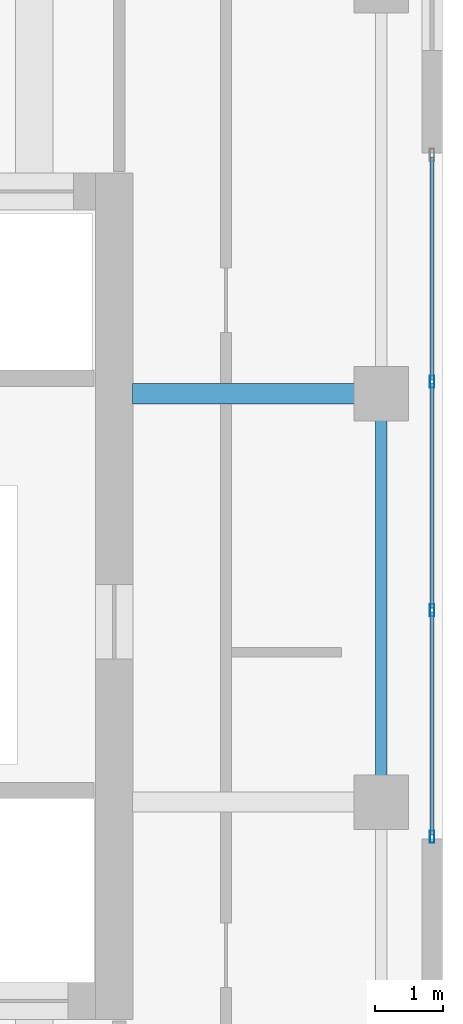
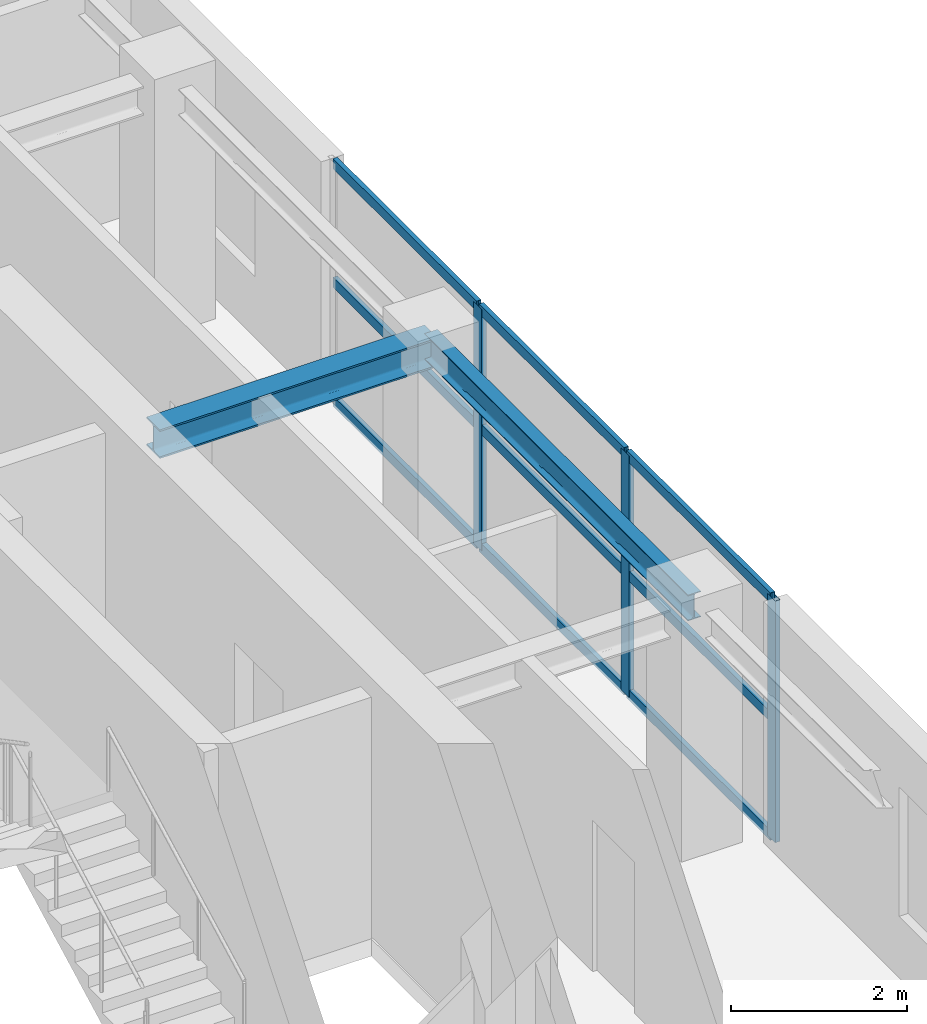
# One storey, part 11 of 22: 12 members, 2 beams, 1 element without a shape of its own.
"""IFC4 building model written with IfcOpenShell, lengths in metres."""

import ifcopenshell
import ifcopenshell.guid

model = None  # the IFC model being written
_history = None  # IfcOwnerHistory: only IFC2X3 demands one
_inside = {}  # id of a spatial element -> (the spatial element, [elements in it])
_under = {}  # id of a project, library or spatial element -> (it, [spatial elements below it])
_declared = {}  # id of a project -> (the project, [libraries it declares])
_typed = {}  # id of a type object -> (the type object, [elements of that type])
_made_of = {}  # id of a material, layer set ... -> (it, [elements and type objects made of it])


def new_model(schema):
    """Start an empty IFC model of exactly this schema.

    Asked for "IFC4X3", IfcOpenShell would pick the latest addendum, in which some entities
    have other attributes; the version numbers below select the first issue.
    IFC2X3 requires an IfcOwnerHistory on every rooted entity: one is made here for all.
    """
    global model, _history
    if schema == "IFC4X3":
        model = ifcopenshell.file(schema_version=(4, 3, 0, 0))
    else:
        model = ifcopenshell.file(schema=schema)
    _inside.clear()
    _under.clear()
    _declared.clear()
    _typed.clear()
    _made_of.clear()
    _history = None
    if model.schema == "IFC2X3":
        org = make("IfcOrganization", Name="unknown")
        user = make(
            "IfcPersonAndOrganization",
            ThePerson=make("IfcPerson", FamilyName="unknown"),
            TheOrganization=org,
        )
        app = make(
            "IfcApplication",
            ApplicationDeveloper=org,
            Version="unknown",
            ApplicationFullName="unknown",
            ApplicationIdentifier="unknown",
        )
        _history = make(
            "IfcOwnerHistory",
            OwningUser=user,
            OwningApplication=app,
            ChangeAction="ADDED",
            CreationDate=0,
        )
    return model


def make(cls, **values):
    """One entity of the class cls with the attributes given. An attribute that is None is left unset."""
    return model.create_entity(
        cls, **{name: value for name, value in values.items() if value is not None}
    )


def rooted(cls, **values):
    """An entity with a GlobalId (a new one), such as an element, a storey or a relation."""
    return make(cls, GlobalId=ifcopenshell.guid.new(), OwnerHistory=_history, **values)


def si_unit(unit_type, name, prefix=None):
    """IfcSIUnit, for example si_unit("LENGTHUNIT", "METRE", prefix="MILLI")."""
    return make("IfcSIUnit", UnitType=unit_type, Prefix=prefix, Name=name)


def assignment(units):
    """IfcUnitAssignment: the units of a project."""
    return None if units is None else make("IfcUnitAssignment", Units=units)


def point(xyz):
    """IfcCartesianPoint."""
    return None if xyz is None else make("IfcCartesianPoint", Coordinates=xyz)


def direction(xyz):
    """IfcDirection."""
    return None if xyz is None else make("IfcDirection", DirectionRatios=xyz)


def frame(location, z_axis=None, x_axis=None):
    """IfcAxis2Placement3D, a coordinate frame: its origin and axes. An axis left out is left unset."""
    return make(
        "IfcAxis2Placement3D",
        Location=point(location),
        Axis=direction(z_axis),
        RefDirection=direction(x_axis),
    )


def frame_2d(location, x_axis=None):
    """IfcAxis2Placement2D, a coordinate frame in the plane: its origin and x axis."""
    return make(
        "IfcAxis2Placement2D", Location=point(location), RefDirection=direction(x_axis)
    )


def origin():
    """The frame at (0, 0, 0) with its axes left unset."""
    return frame((0.0, 0.0, 0.0))


def origin_2d():
    """The frame at (0, 0) in the plane with its x axis left unset."""
    return frame_2d((0.0, 0.0))


def place(relative_to, where):
    """IfcLocalPlacement: puts the frame where relative to a parent placement (None: the world)."""
    return make(
        "IfcLocalPlacement", PlacementRelTo=relative_to, RelativePlacement=where
    )


def context(
    kind, dimensions, precision=None, world=None, true_north=None, identifier=None
):
    """IfcGeometricRepresentationContext, for example the 3D "Model" context."""
    return make(
        "IfcGeometricRepresentationContext",
        ContextIdentifier=identifier,
        ContextType=kind,
        CoordinateSpaceDimension=dimensions,
        Precision=precision,
        WorldCoordinateSystem=world,
        TrueNorth=true_north,
    )


def subcontext(parent, identifier, kind, view, scale=None):
    """IfcGeometricRepresentationSubContext, for example "Body" below "Model"."""
    return make(
        "IfcGeometricRepresentationSubContext",
        ContextIdentifier=identifier,
        ContextType=kind,
        ParentContext=parent,
        TargetScale=scale,
        TargetView=view,
    )


def project(units=None, contexts=None):
    """IfcProject with its units and contexts."""
    return rooted(
        "IfcProject",
        Name="project",
        RepresentationContexts=contexts,
        UnitsInContext=assignment(units),
    )


def spatial(cls, under=None, at=None, **own):
    """A site, building, storey or space (cls), placed at a placement, below another one or the project."""
    s = rooted(cls, ObjectPlacement=at, **own)
    if under is not None:
        _under.setdefault(under.id(), (under, []))[1].append(s)
    return s


def profile(cls, at=None, kind="AREA", **sizes):
    """A parametric profile (cls). Its sizes go by their IFC names, for example OverallWidth=200.0."""
    return make(cls, ProfileType=kind, Position=at, **sizes)


def hollow_rectangle(**sizes):
    """IfcRectangleHollowProfileDef."""
    return profile("IfcRectangleHollowProfileDef", **sizes)


def i_section(**sizes):
    """IfcIShapeProfileDef."""
    return profile("IfcIShapeProfileDef", **sizes)


def extrude(swept, where, along, depth):
    """IfcExtrudedAreaSolid: the profile swept, set in the frame where, extruded along a direction by depth."""
    return make(
        "IfcExtrudedAreaSolid",
        SweptArea=swept,
        Position=where,
        ExtrudedDirection=direction(along),
        Depth=depth,
    )


def shape(context_of_items, identifier, shape_type, items):
    """IfcShapeRepresentation: the items that make up one representation, for example the "Body"."""
    return make(
        "IfcShapeRepresentation",
        ContextOfItems=context_of_items,
        RepresentationIdentifier=identifier,
        RepresentationType=shape_type,
        Items=items,
    )


def source(mapping_origin, context_of_items, identifier, shape_type, items):
    """IfcRepresentationMap: a shape defined once, which mapped items show again and again."""
    return make(
        "IfcRepresentationMap",
        MappingOrigin=mapping_origin,
        MappedRepresentation=shape(context_of_items, identifier, shape_type, items),
    )


def transform(
    local_origin,
    x_axis=None,
    y_axis=None,
    z_axis=None,
    scale=None,
    scale2=None,
    scale3=None,
    uniform=True,
):
    """IfcCartesianTransformationOperator3D, or its non-uniform kind. x_axis, y_axis, z_axis: its Axis1, 2, 3."""
    if uniform:
        return make(
            "IfcCartesianTransformationOperator3D",
            Axis1=direction(x_axis),
            Axis2=direction(y_axis),
            LocalOrigin=point(local_origin),
            Scale=scale,
            Axis3=direction(z_axis),
        )
    return make(
        "IfcCartesianTransformationOperator3DnonUniform",
        Axis1=direction(x_axis),
        Axis2=direction(y_axis),
        LocalOrigin=point(local_origin),
        Scale=scale,
        Axis3=direction(z_axis),
        Scale2=scale2,
        Scale3=scale3,
    )


def mapped(mapping_source, mapping_target):
    """IfcMappedItem: shows the shape of a source again, moved by a transform."""
    return make(
        "IfcMappedItem", MappingSource=mapping_source, MappingTarget=mapping_target
    )


def material(Name=None, Category=None):
    """IfcMaterial."""
    return make("IfcMaterial", Name=Name, Category=Category)


def layer(
    of_material, thickness, ventilated=None, Name=None, Category=None, Priority=None
):
    """IfcMaterialLayer: one layer of a wall or slab, of a material (None: an air gap)."""
    return make(
        "IfcMaterialLayer",
        Material=of_material,
        LayerThickness=thickness,
        IsVentilated=ventilated,
        Name=Name,
        Category=Category,
        Priority=Priority,
    )


def layer_set(layers, Name=None):
    """IfcMaterialLayerSet."""
    return make("IfcMaterialLayerSet", MaterialLayers=layers, LayerSetName=Name)


def material_profile(
    of_material, cross_section, Name=None, Category=None, Priority=None
):
    """IfcMaterialProfile: a cross section and its material."""
    return make(
        "IfcMaterialProfile",
        Name=Name,
        Material=of_material,
        Profile=cross_section,
        Priority=Priority,
        Category=Category,
    )


def profile_set(profiles, Name=None, composite=None):
    """IfcMaterialProfileSet."""
    return make(
        "IfcMaterialProfileSet",
        Name=Name,
        MaterialProfiles=profiles,
        CompositeProfile=composite,
    )


def made_of(thing, what):
    """Note that an element or type object is made of a material, layer set ...; save() writes the relation."""
    if what is not None:
        _made_of.setdefault(what.id(), (what, []))[1].append(thing)
    return thing


def type_object(cls, material=None, **own):
    """A type object (cls), such as IfcWallType, which elements share."""
    return made_of(rooted(cls, **own), material)


def element(
    cls,
    number,
    at=None,
    inside=None,
    cuts=None,
    type_object=None,
    material=None,
    context=None,
    identifier="Body",
    shape_type=None,
    held_by="IfcProductDefinitionShape",
    body=None,
    shapes=None,
    **own,
):
    """One element of the class cls, such as IfcWall. Its Tag is "e" and its number.

    at: its placement. inside: the storey or other place that contains it. cuts: it is an
    opening in that element (IfcRelVoidsElement). A single representation is given by context,
    identifier, shape_type and body (its items); several are given by shapes. held_by: the class
    of the entity that holds the representations. save() writes the other relations.
    """
    e = rooted(cls, Tag="e%d" % number, ObjectPlacement=at, **own)
    if body is not None:
        shapes = [shape(context, identifier, shape_type, body)]
    if shapes is not None:
        e.Representation = make(held_by, Representations=shapes)
    if inside is not None:
        _inside.setdefault(inside.id(), (inside, []))[1].append(e)
    if cuts is not None:
        rooted(
            "IfcRelVoidsElement", RelatingBuildingElement=cuts, RelatedOpeningElement=e
        )
    if type_object is not None:
        _typed.setdefault(type_object.id(), (type_object, []))[1].append(e)
    return made_of(e, material)


def aggregate(whole, parts):
    """IfcRelAggregates: a whole, such as a stair, and the parts it consists of."""
    return rooted("IfcRelAggregates", RelatingObject=whole, RelatedObjects=parts)


def save(model, path):
    """Write the relations noted so far, then the file.

    IfcRelAggregates (storeys below a building ...), IfcRelContainedInSpatialStructure (elements
    in a storey), IfcRelDefinesByType, IfcRelAssociatesMaterial and IfcRelDeclares: one each for
    every whole, place, type object, material and project.
    """
    for whole, parts in _under.values():
        aggregate(whole, parts)
    for where, things in _inside.values():
        rooted(
            "IfcRelContainedInSpatialStructure",
            RelatedElements=things,
            RelatingStructure=where,
        )
    for kind, things in _typed.values():
        rooted("IfcRelDefinesByType", RelatedObjects=things, RelatingType=kind)
    for what, things in _made_of.values():
        rooted("IfcRelAssociatesMaterial", RelatedObjects=things, RelatingMaterial=what)
    for by, libraries in _declared.values():
        rooted("IfcRelDeclares", RelatingContext=by, RelatedDefinitions=libraries)
    model.write(path)


model = new_model("IFC4")

# Units and contexts
model_context = context("Model", 3, precision=1e-05, world=origin(), true_north=direction((0.0, 1.0)))
body_context = subcontext(model_context, "Body", "Model", "MODEL_VIEW")
ifc_project = project(units=[si_unit("LENGTHUNIT", "METRE"), si_unit("AREAUNIT", "SQUARE_METRE"), si_unit("VOLUMEUNIT", "CUBIC_METRE"), si_unit("PLANEANGLEUNIT", "RADIAN"), si_unit("MASSUNIT", "GRAM", prefix="KILO")], contexts=[model_context])

# Site, building, storey
site_placement = place(None, origin())
site = spatial("IfcSite", under=ifc_project, at=site_placement, CompositionType="ELEMENT")
building_placement = place(site_placement, origin())
building = spatial("IfcBuilding", under=site, at=building_placement, Name="Khoralis Quay Care Tower", CompositionType="ELEMENT")
storey_placement = place(building_placement, frame((0.0, 0.0, 260.10009765625)))
storey = spatial("IfcBuildingStorey", under=building, at=storey_placement, Name="L68", CompositionType="ELEMENT", Elevation=260.10009765625)

# Beams
ifc_material_1 = material(Name="Steel S355", Category="steel")
ifc_material_profile_1 = material_profile(ifc_material_1, i_section(OverallWidth=0.169921875, OverallDepth=0.360107421875, WebThickness=0.008056640625, FlangeThickness=0.0126953125, FilletRadius=0.01806640625, at=origin_2d()), Name="Steel S355")
ifc_profile_set_1 = profile_set([ifc_material_profile_1], Name="Steel S355")
beam_type_1 = type_object("IfcBeamType", Name="BM-IPE360", PredefinedType="SPANDREL", material=ifc_profile_set_1)
shared_shape_1 = source(origin(), body_context, "Body", "SweptSolid", [
    extrude(i_section(OverallWidth=0.169921875, OverallDepth=0.360107421875, WebThickness=0.008056640625, FlangeThickness=0.0126953125, FilletRadius=0.01806640625, at=origin_2d()), origin(), (0.0, 0.0, 1.0), 6.0),
])
beam_1_placement = place(storey_placement, frame((41.10009765625, 18.0, 3.179931640625), z_axis=(0.0, 1.0, 0.0), x_axis=(-1.0, 0.0, 0.0)))
element("IfcBeam", 1, at=beam_1_placement, inside=storey, type_object=beam_type_1, Name="BM-TSP-L68-10", PredefinedType="SPANDREL", context=body_context, shape_type="MappedRepresentation", body=[
    mapped(shared_shape_1, transform((0.0, 0.0, 0.0), scale=1.0)),
])
ifc_material_profile_2 = material_profile(ifc_material_1, i_section(OverallWidth=0.300048828125, OverallDepth=0.39990234375, WebThickness=0.013427734375, FlangeThickness=0.02392578125, FilletRadius=0.027099609375, at=origin_2d()), Name="Steel S355")
ifc_profile_set_2 = profile_set([ifc_material_profile_2], Name="Steel S355")
beam_type_2 = type_object("IfcBeamType", Name="BM-HEB400", PredefinedType="BEAM", material=ifc_profile_set_2)
shared_shape_2 = source(origin(), body_context, "Body", "SweptSolid", [
    extrude(i_section(OverallWidth=0.300048828125, OverallDepth=0.39990234375, WebThickness=0.013427734375, FlangeThickness=0.02392578125, FilletRadius=0.027099609375, at=origin_2d()), origin(), (0.0, 0.0, 1.0), 3.652099609375),
])
beam_2_placement = place(storey_placement, frame((37.447998046875, 24.0, 3.159912109375), z_axis=(1.0, 0.0, 0.0), x_axis=(0.0, 1.0, 0.0)))
element("IfcBeam", 2, at=beam_2_placement, inside=storey, type_object=beam_type_2, Name="BM-TGXE-L68-240", PredefinedType="BEAM", context=body_context, shape_type="MappedRepresentation", body=[
    mapped(shared_shape_2, transform((0.0, 0.0, 0.0), scale=1.0)),
])

# Curtain wall, members
ifc_material_2 = material(Name="Pale anodised aluminium", Category="aluminium")
ifc_layer = layer(ifc_material_2, 0.159912109375)
ifc_layer_set = layer_set([ifc_layer], Name="Pale anodised aluminium")
curtain_wall_type = type_object("IfcCurtainWallType", Name="CW-SYS-Z3", PredefinedType="NOTDEFINED", material=ifc_layer_set)
curtain_wall_placement = place(storey_placement, origin())
curtain_wall = element("IfcCurtainWall", 3, at=curtain_wall_placement, inside=storey, type_object=curtain_wall_type, Name="L68 Unitised Curtain Wall CW-L68-P2-E5", PredefinedType="NOTDEFINED")
ifc_material_profile_3 = material_profile(ifc_material_2, hollow_rectangle(XDim=0.06005859375, YDim=0.139892578125, WallThickness=0.00390625, at=origin_2d()), Name="Pale anodised aluminium")
ifc_profile_set_3 = profile_set([ifc_material_profile_3], Name="Pale anodised aluminium")
member_type_1 = type_object("IfcMemberType", Name="CW-TRN-140", PredefinedType="USERDEFINED", material=ifc_profile_set_3)
shared_shape_3 = source(origin(), body_context, "Body", "SweptSolid", [
    extrude(hollow_rectangle(XDim=0.06005859375, YDim=0.139892578125, WallThickness=0.00390625, at=origin_2d()), origin(), (0.0, 0.0, 1.0), 3.27001953125),
])
member_1_placement = place(storey_placement, frame((41.85009765625, 17.52001953125, 0.02978515625), z_axis=(0.0, 1.0, 0.0), x_axis=(-1.0, 0.0, 0.0)))
member_1 = element("IfcMember", 4, at=member_1_placement, type_object=member_type_1, Name="CW3 transom 1.1", ObjectType="TRANSOM", PredefinedType="USERDEFINED", context=body_context, shape_type="MappedRepresentation", body=[
    mapped(shared_shape_3, transform((0.0, 0.0, 0.0), scale=1.0)),
])
member_2_placement = place(storey_placement, frame((41.85009765625, 17.52001953125, 1.679931640625), z_axis=(0.0, 1.0, 0.0), x_axis=(-1.0, 0.0, 0.0)))
member_2 = element("IfcMember", 5, at=member_2_placement, type_object=member_type_1, Name="CW3 transom 1.2", ObjectType="TRANSOM", PredefinedType="USERDEFINED", context=body_context, shape_type="MappedRepresentation", body=[
    mapped(shared_shape_3, transform((0.0, 0.0, 0.0), scale=1.0)),
])
member_3_placement = place(storey_placement, frame((41.85009765625, 17.52001953125, 3.329833984375), z_axis=(0.0, 1.0, 0.0), x_axis=(-1.0, 0.0, 0.0)))
member_3 = element("IfcMember", 6, at=member_3_placement, type_object=member_type_1, Name="CW3 transom 1.3", ObjectType="TRANSOM", PredefinedType="USERDEFINED", context=body_context, shape_type="MappedRepresentation", body=[
    mapped(shared_shape_3, transform((0.0, 0.0, 0.0), scale=1.0)),
])
member_4_placement = place(storey_placement, frame((41.85009765625, 24.2099609375, 0.02978515625), z_axis=(0.0, 1.0, 0.0), x_axis=(-1.0, 0.0, 0.0)))
member_4 = element("IfcMember", 7, at=member_4_placement, type_object=member_type_1, Name="CW3 transom 3.1", ObjectType="TRANSOM", PredefinedType="USERDEFINED", context=body_context, shape_type="MappedRepresentation", body=[
    mapped(shared_shape_3, transform((0.0, 0.0, 0.0), scale=1.0)),
])
member_5_placement = place(storey_placement, frame((41.85009765625, 24.2099609375, 1.679931640625), z_axis=(0.0, 1.0, 0.0), x_axis=(-1.0, 0.0, 0.0)))
member_5 = element("IfcMember", 8, at=member_5_placement, type_object=member_type_1, Name="CW3 transom 3.2", ObjectType="TRANSOM", PredefinedType="USERDEFINED", context=body_context, shape_type="MappedRepresentation", body=[
    mapped(shared_shape_3, transform((0.0, 0.0, 0.0), scale=1.0)),
])
member_6_placement = place(storey_placement, frame((41.85009765625, 24.2099609375, 3.329833984375), z_axis=(0.0, 1.0, 0.0), x_axis=(-1.0, 0.0, 0.0)))
member_6 = element("IfcMember", 9, at=member_6_placement, type_object=member_type_1, Name="CW3 transom 3.3", ObjectType="TRANSOM", PredefinedType="USERDEFINED", context=body_context, shape_type="MappedRepresentation", body=[
    mapped(shared_shape_3, transform((0.0, 0.0, 0.0), scale=1.0)),
])
shared_shape_4 = source(origin(), body_context, "Body", "SweptSolid", [
    extrude(hollow_rectangle(XDim=0.06005859375, YDim=0.139892578125, WallThickness=0.00390625, at=origin_2d()), origin(), (0.0, 0.0, 1.0), 3.2998046875),
])
member_7_placement = place(storey_placement, frame((41.85009765625, 20.85009765625, 0.02978515625), z_axis=(0.0, 1.0, 0.0), x_axis=(-1.0, 0.0, 0.0)))
member_7 = element("IfcMember", 10, at=member_7_placement, type_object=member_type_1, Name="CW3 transom 2.1", ObjectType="TRANSOM", PredefinedType="USERDEFINED", context=body_context, shape_type="MappedRepresentation", body=[
    mapped(shared_shape_4, transform((0.0, 0.0, 0.0), scale=1.0)),
])
member_8_placement = place(storey_placement, frame((41.85009765625, 20.85009765625, 1.679931640625), z_axis=(0.0, 1.0, 0.0), x_axis=(-1.0, 0.0, 0.0)))
member_8 = element("IfcMember", 11, at=member_8_placement, type_object=member_type_1, Name="CW3 transom 2.2", ObjectType="TRANSOM", PredefinedType="USERDEFINED", context=body_context, shape_type="MappedRepresentation", body=[
    mapped(shared_shape_4, transform((0.0, 0.0, 0.0), scale=1.0)),
])
member_9_placement = place(storey_placement, frame((41.85009765625, 20.85009765625, 3.329833984375), z_axis=(0.0, 1.0, 0.0), x_axis=(-1.0, 0.0, 0.0)))
member_9 = element("IfcMember", 12, at=member_9_placement, type_object=member_type_1, Name="CW3 transom 2.3", ObjectType="TRANSOM", PredefinedType="USERDEFINED", context=body_context, shape_type="MappedRepresentation", body=[
    mapped(shared_shape_4, transform((0.0, 0.0, 0.0), scale=1.0)),
])
ifc_material_profile_4 = material_profile(ifc_material_2, hollow_rectangle(XDim=0.06494140625, YDim=0.179931640625, WallThickness=0.00390625, at=origin_2d()), Name="Pale anodised aluminium")
ifc_profile_set_4 = profile_set([ifc_material_profile_4], Name="Pale anodised aluminium")
member_type_2 = type_object("IfcMemberType", Name="CW-MUL-180", PredefinedType="MULLION", material=ifc_profile_set_4)
shared_shape_5 = source(origin(), body_context, "Body", "SweptSolid", [
    extrude(hollow_rectangle(XDim=0.06494140625, YDim=0.179931640625, WallThickness=0.00390625, at=origin_2d()), origin(), (0.0, 0.0, 1.0), 3.35986328125),
])
member_10_placement = place(storey_placement, frame((41.85009765625, 17.489990234375, 0.0), z_axis=(0.0, 0.0, 1.0), x_axis=(-1.0, 0.0, 0.0)))
member_10 = element("IfcMember", 13, at=member_10_placement, type_object=member_type_2, Name="CW3 mullion 1", PredefinedType="MULLION", context=body_context, shape_type="MappedRepresentation", body=[
    mapped(shared_shape_5, transform((0.0, 0.0, 0.0), scale=1.0)),
])
member_11_placement = place(storey_placement, frame((41.85009765625, 20.820068359375, 0.0), z_axis=(0.0, 0.0, 1.0), x_axis=(-1.0, 0.0, 0.0)))
member_11 = element("IfcMember", 14, at=member_11_placement, type_object=member_type_2, Name="CW3 mullion 2", PredefinedType="MULLION", context=body_context, shape_type="MappedRepresentation", body=[
    mapped(shared_shape_5, transform((0.0, 0.0, 0.0), scale=1.0)),
])
member_12_placement = place(storey_placement, frame((41.85009765625, 24.179931640625, 0.0), z_axis=(0.0, 0.0, 1.0), x_axis=(-1.0, 0.0, 0.0)))
member_12 = element("IfcMember", 15, at=member_12_placement, type_object=member_type_2, Name="CW3 mullion 3", PredefinedType="MULLION", context=body_context, shape_type="MappedRepresentation", body=[
    mapped(shared_shape_5, transform((0.0, 0.0, 0.0), scale=1.0)),
])
aggregate(curtain_wall, [member_10, member_11, member_12, member_1, member_2, member_3, member_7, member_8, member_9, member_4, member_5, member_6])

save(model, "model.ifc")
